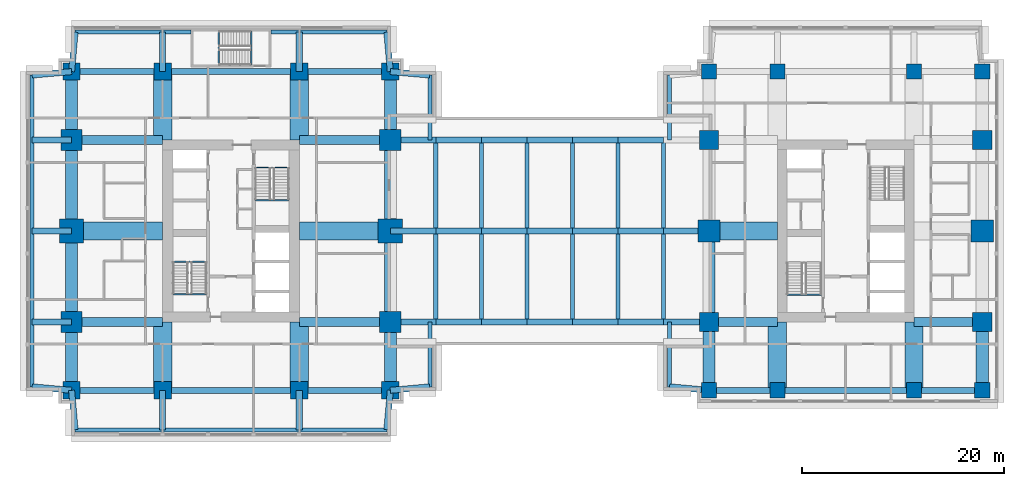
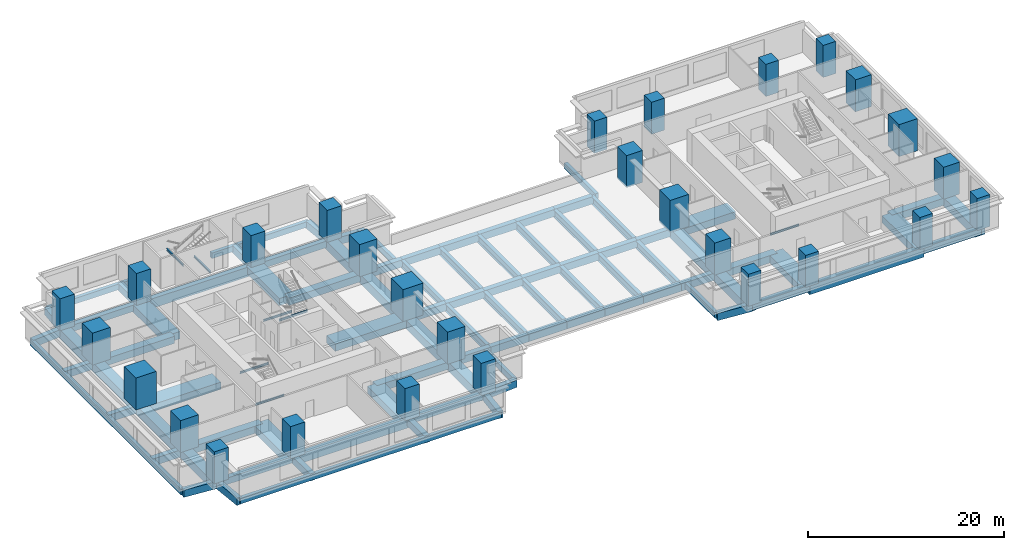
# One storey, part 1 of 10: 98 beams, 28 columns.
"""IFC4 building model written with IfcOpenShell, lengths in metres."""

from ifc_helpers import new_model, si_unit, direction, frame, origin, origin_2d, place, context, subcontext, project, spatial, rectangle, hollow_rectangle, i_section, extrude, material, material_profile, profile_set, type_object, element, save


model = new_model("IFC4")

# Units and contexts
model_context = context("Model", 3, precision=1e-05, world=origin(), true_north=direction((0.0, 1.0)))
body_context = subcontext(model_context, "Body", "Model", "MODEL_VIEW")
ifc_project = project(units=[si_unit("LENGTHUNIT", "METRE"), si_unit("AREAUNIT", "SQUARE_METRE"), si_unit("VOLUMEUNIT", "CUBIC_METRE"), si_unit("PLANEANGLEUNIT", "RADIAN"), si_unit("MASSUNIT", "GRAM", prefix="KILO")], contexts=[model_context])

# Site, building, storey
site_placement = place(None, origin())
site = spatial("IfcSite", under=ifc_project, at=site_placement, CompositionType="ELEMENT")
building_placement = place(site_placement, origin())
building = spatial("IfcBuilding", under=site, at=building_placement, Name="Namib Vertical Campus", CompositionType="ELEMENT")
storey_placement = place(building_placement, frame((0.0, 0.0, 137.0)))
storey = spatial("IfcBuildingStorey", under=building, at=storey_placement, Name="L32", CompositionType="ELEMENT", Elevation=137.0)

# Columns
ifc_material_1 = material(Name="Concrete C60/75", Category="concrete")
ifc_material_profile_1 = material_profile(ifc_material_1, rectangle(XDim=1.5, YDim=1.5, at=origin_2d()))
ifc_profile_set_1 = profile_set([ifc_material_profile_1], Name="Concrete C60/75")
column_type_1 = type_object("IfcColumnType", Name="Column RC 1500x1500", PredefinedType="COLUMN", material=ifc_profile_set_1)
for number, where, z_axis, x_axis, name in (
    (1, (67.5, 4.5, 0.0), (0.0, 0.0, 1.0), (1.0, 0.0, 0.0), "Column C150 L32"),
    (2, (74.25, 4.5, 0.0), (0.0, 0.0, 1.0), (1.0, 0.0, 0.0), "Column C150 L32"),
    (3, (87.75, 4.5, 0.0), (0.0, 0.0, 1.0), (1.0, 0.0, 0.0), "Column C150 L32"),
    (4, (94.5, 4.5, 0.0), (0.0, 0.0, 1.0), (1.0, 0.0, 0.0), "Column C150 L32"),
    (5, (67.5, 36.0, 0.0), (0.0, 0.0, 1.0), (1.0, 0.0, 0.0), "Column C150 L32"),
    (6, (74.25, 36.0, 0.0), (0.0, 0.0, 1.0), (1.0, 0.0, 0.0), "Column C150 L32"),
    (7, (87.75, 36.0, 0.0), (0.0, 0.0, 1.0), (1.0, 0.0, 0.0), "Column C150 L32"),
    (8, (94.5, 36.0, 0.0), (0.0, 0.0, 1.0), (1.0, 0.0, 0.0), "Column C150 L32"),
):
    element("IfcColumn", number, at=place(storey_placement, frame(where, z_axis=z_axis, x_axis=x_axis)), inside=storey, type_object=column_type_1, Name=name, PredefinedType="COLUMN", context=body_context, shape_type="SweptSolid", body=[
        extrude(rectangle(XDim=1.5, YDim=1.5, at=origin_2d()), origin(), (0.0, 0.0, 1.0), 4.0),
    ])
ifc_material_2 = material(Name="Concrete C60/75", Category="concrete")
ifc_material_profile_2 = material_profile(ifc_material_2, rectangle(XDim=1.699951171875, YDim=1.699951171875, at=origin_2d()))
ifc_profile_set_2 = profile_set([ifc_material_profile_2], Name="Concrete C60/75")
column_type_2 = type_object("IfcColumnType", Name="Column RC 1700x1700", PredefinedType="COLUMN", material=ifc_profile_set_2)
for number, where, z_axis, x_axis, name in (
    (9, (4.5, 4.5, 0.0), (0.0, 0.0, 1.0), (1.0, 0.0, 0.0), "Column C170 L32"),
    (10, (13.5, 4.5, 0.0), (0.0, 0.0, 1.0), (1.0, 0.0, 0.0), "Column C170 L32"),
    (11, (27.0, 4.5, 0.0), (0.0, 0.0, 1.0), (1.0, 0.0, 0.0), "Column C170 L32"),
    (12, (36.0, 4.5, 0.0), (0.0, 0.0, 1.0), (1.0, 0.0, 0.0), "Column C170 L32"),
    (13, (4.5, 36.0, 0.0), (0.0, 0.0, 1.0), (1.0, 0.0, 0.0), "Column C170 L32"),
    (14, (13.5, 36.0, 0.0), (0.0, 0.0, 1.0), (1.0, 0.0, 0.0), "Column C170 L32"),
    (15, (27.0, 36.0, 0.0), (0.0, 0.0, 1.0), (1.0, 0.0, 0.0), "Column C170 L32"),
    (16, (36.0, 36.0, 0.0), (0.0, 0.0, 1.0), (1.0, 0.0, 0.0), "Column C170 L32"),
):
    element("IfcColumn", number, at=place(storey_placement, frame(where, z_axis=z_axis, x_axis=x_axis)), inside=storey, type_object=column_type_2, Name=name, PredefinedType="COLUMN", context=body_context, shape_type="SweptSolid", body=[
        extrude(rectangle(XDim=1.699951171875, YDim=1.699951171875, at=origin_2d()), origin(), (0.0, 0.0, 1.0), 4.0),
    ])
ifc_material_3 = material(Name="Concrete C60/75", Category="concrete")
ifc_material_profile_3 = material_profile(ifc_material_3, rectangle(XDim=1.89990234375, YDim=1.89990234375, at=origin_2d()))
ifc_profile_set_3 = profile_set([ifc_material_profile_3], Name="Concrete C60/75")
column_type_3 = type_object("IfcColumnType", Name="Column RC 1900x1900", PredefinedType="COLUMN", material=ifc_profile_set_3)
for number, where, z_axis, x_axis, name in (
    (17, (67.5, 11.25, 0.0), (0.0, 0.0, 1.0), (1.0, 0.0, 0.0), "Column C190 L32"),
    (18, (94.5, 11.25, 0.0), (0.0, 0.0, 1.0), (1.0, 0.0, 0.0), "Column C190 L32"),
    (19, (67.5, 29.25, 0.0), (0.0, 0.0, 1.0), (1.0, 0.0, 0.0), "Column C190 L32"),
    (20, (94.5, 29.25, 0.0), (0.0, 0.0, 1.0), (1.0, 0.0, 0.0), "Column C190 L32"),
):
    element("IfcColumn", number, at=place(storey_placement, frame(where, z_axis=z_axis, x_axis=x_axis)), inside=storey, type_object=column_type_3, Name=name, PredefinedType="COLUMN", context=body_context, shape_type="SweptSolid", body=[
        extrude(rectangle(XDim=1.89990234375, YDim=1.89990234375, at=origin_2d()), origin(), (0.0, 0.0, 1.0), 4.0),
    ])
ifc_material_4 = material(Name="Concrete C60/75", Category="concrete")
ifc_material_profile_4 = material_profile(ifc_material_4, rectangle(XDim=2.10009765625, YDim=2.10009765625, at=origin_2d()))
ifc_profile_set_4 = profile_set([ifc_material_profile_4], Name="Concrete C60/75")
column_type_4 = type_object("IfcColumnType", Name="Column RC 2100x2100", PredefinedType="COLUMN", material=ifc_profile_set_4)
for number, where, z_axis, x_axis, name in (
    (21, (4.5, 11.25, 0.0), (0.0, 0.0, 1.0), (1.0, 0.0, 0.0), "Column C210 L32"),
    (22, (36.0, 11.25, 0.0), (0.0, 0.0, 1.0), (1.0, 0.0, 0.0), "Column C210 L32"),
    (23, (4.5, 29.25, 0.0), (0.0, 0.0, 1.0), (1.0, 0.0, 0.0), "Column C210 L32"),
    (24, (36.0, 29.25, 0.0), (0.0, 0.0, 1.0), (1.0, 0.0, 0.0), "Column C210 L32"),
):
    element("IfcColumn", number, at=place(storey_placement, frame(where, z_axis=z_axis, x_axis=x_axis)), inside=storey, type_object=column_type_4, Name=name, PredefinedType="COLUMN", context=body_context, shape_type="SweptSolid", body=[
        extrude(rectangle(XDim=2.10009765625, YDim=2.10009765625, at=origin_2d()), origin(), (0.0, 0.0, 1.0), 4.0),
    ])
ifc_material_5 = material(Name="Concrete C60/75", Category="concrete")
ifc_material_profile_5 = material_profile(ifc_material_5, rectangle(XDim=2.199951171875, YDim=2.199951171875, at=origin_2d()))
ifc_profile_set_5 = profile_set([ifc_material_profile_5], Name="Concrete C60/75")
column_type_5 = type_object("IfcColumnType", Name="Column RC 2200x2200", PredefinedType="COLUMN", material=ifc_profile_set_5)
for number, where, z_axis, x_axis, name in (
    (25, (67.5, 20.25, 0.0), (0.0, 0.0, 1.0), (1.0, 0.0, 0.0), "Column C220 L32"),
    (26, (94.5, 20.25, 0.0), (0.0, 0.0, 1.0), (1.0, 0.0, 0.0), "Column C220 L32"),
):
    element("IfcColumn", number, at=place(storey_placement, frame(where, z_axis=z_axis, x_axis=x_axis)), inside=storey, type_object=column_type_5, Name=name, PredefinedType="COLUMN", context=body_context, shape_type="SweptSolid", body=[
        extrude(rectangle(XDim=2.199951171875, YDim=2.199951171875, at=origin_2d()), origin(), (0.0, 0.0, 1.0), 4.0),
    ])
ifc_material_6 = material(Name="Concrete C60/75", Category="concrete")
ifc_material_profile_6 = material_profile(ifc_material_6, rectangle(XDim=2.39990234375, YDim=2.39990234375, at=origin_2d()))
ifc_profile_set_6 = profile_set([ifc_material_profile_6], Name="Concrete C60/75")
column_type_6 = type_object("IfcColumnType", Name="Column RC 2400x2400", PredefinedType="COLUMN", material=ifc_profile_set_6)
for number, where, z_axis, x_axis, name in (
    (27, (4.5, 20.25, 0.0), (0.0, 0.0, 1.0), (1.0, 0.0, 0.0), "Column C240 L32"),
    (28, (36.0, 20.25, 0.0), (0.0, 0.0, 1.0), (1.0, 0.0, 0.0), "Column C240 L32"),
):
    element("IfcColumn", number, at=place(storey_placement, frame(where, z_axis=z_axis, x_axis=x_axis)), inside=storey, type_object=column_type_6, Name=name, PredefinedType="COLUMN", context=body_context, shape_type="SweptSolid", body=[
        extrude(rectangle(XDim=2.39990234375, YDim=2.39990234375, at=origin_2d()), origin(), (0.0, 0.0, 1.0), 4.0),
    ])

# Beams
ifc_material_7 = material(Name="Steel S355JR", Category="steel")
ifc_material_profile_7 = material_profile(ifc_material_7, i_section(OverallWidth=0.42041015625, OverallDepth=0.92041015625, WebThickness=0.021484375, FlangeThickness=0.03662109375, FilletRadius=0.024169921875, at=origin_2d()))
ifc_profile_set_7 = profile_set([ifc_material_profile_7], Name="Steel S355JR")
beam_type_1 = type_object("IfcBeamType", Name="Bridge floor beam UB 914x419x388", PredefinedType="BEAM", material=ifc_profile_set_7)
for number, where, z_axis, x_axis, name in (
    (29, (40.5, 11.25, -0.710205078125), (0.0, 1.0, 0.0), (-1.0, 0.0, 0.0), "Bridge beam BB1 L32"),
    (30, (40.5, 20.25, -0.710205078125), (0.0, 1.0, 0.0), (-1.0, 0.0, 0.0), "Bridge beam BB1 L32"),
    (31, (45.0, 11.25, -0.710205078125), (0.0, 1.0, 0.0), (-1.0, 0.0, 0.0), "Bridge beam BB1 L32"),
    (32, (45.0, 20.25, -0.710205078125), (0.0, 1.0, 0.0), (-1.0, 0.0, 0.0), "Bridge beam BB1 L32"),
    (33, (49.5, 11.25, -0.710205078125), (0.0, 1.0, 0.0), (-1.0, 0.0, 0.0), "Bridge beam BB1 L32"),
    (34, (49.5, 20.25, -0.710205078125), (0.0, 1.0, 0.0), (-1.0, 0.0, 0.0), "Bridge beam BB1 L32"),
    (35, (54.0, 11.25, -0.710205078125), (0.0, 1.0, 0.0), (-1.0, 0.0, 0.0), "Bridge beam BB1 L32"),
    (36, (54.0, 20.25, -0.710205078125), (0.0, 1.0, 0.0), (-1.0, 0.0, 0.0), "Bridge beam BB1 L32"),
    (37, (58.5, 11.25, -0.710205078125), (0.0, 1.0, 0.0), (-1.0, 0.0, 0.0), "Bridge beam BB1 L32"),
    (38, (58.5, 20.25, -0.710205078125), (0.0, 1.0, 0.0), (-1.0, 0.0, 0.0), "Bridge beam BB1 L32"),
    (39, (63.0, 11.25, -0.710205078125), (0.0, 1.0, 0.0), (-1.0, 0.0, 0.0), "Bridge beam BB1 L32"),
    (40, (63.0, 20.25, -0.710205078125), (0.0, 1.0, 0.0), (-1.0, 0.0, 0.0), "Bridge beam BB1 L32"),
):
    element("IfcBeam", number, at=place(storey_placement, frame(where, z_axis=z_axis, x_axis=x_axis)), inside=storey, type_object=beam_type_1, Name=name, PredefinedType="BEAM", context=body_context, shape_type="SweptSolid", body=[
        extrude(i_section(OverallWidth=0.42041015625, OverallDepth=0.92041015625, WebThickness=0.021484375, FlangeThickness=0.03662109375, FilletRadius=0.024169921875, at=origin_2d()), origin(), (0.0, 0.0, 1.0), 9.0),
    ])
ifc_material_8 = material(Name="Steel S355JR", Category="steel")
ifc_material_profile_8 = material_profile(ifc_material_8, hollow_rectangle(XDim=0.60009765625, YDim=0.89990234375, WallThickness=0.050048828125, at=origin_2d()))
ifc_profile_set_8 = profile_set([ifc_material_profile_8], Name="Steel S355JR")
beam_type_2 = type_object("IfcBeamType", Name="Bridge girder WB 900x600x50", PredefinedType="BEAM", material=ifc_profile_set_8)
for number, where, z_axis, x_axis, name in (
    (41, (36.0, 11.25, -0.699951171875), (1.0, 0.0, 0.0), (0.0, 1.0, 0.0), "Bridge girder BG1 L32"),
    (42, (40.5, 11.25, -0.699951171875), (1.0, 0.0, 0.0), (0.0, 1.0, 0.0), "Bridge girder BG1 L32"),
    (43, (45.0, 11.25, -0.699951171875), (1.0, 0.0, 0.0), (0.0, 1.0, 0.0), "Bridge girder BG1 L32"),
    (44, (49.5, 11.25, -0.699951171875), (1.0, 0.0, 0.0), (0.0, 1.0, 0.0), "Bridge girder BG1 L32"),
    (45, (54.0, 11.25, -0.699951171875), (1.0, 0.0, 0.0), (0.0, 1.0, 0.0), "Bridge girder BG1 L32"),
    (46, (58.5, 11.25, -0.699951171875), (1.0, 0.0, 0.0), (0.0, 1.0, 0.0), "Bridge girder BG1 L32"),
    (47, (63.0, 11.25, -0.699951171875), (1.0, 0.0, 0.0), (0.0, 1.0, 0.0), "Bridge girder BG1 L32"),
    (48, (36.0, 20.25, -0.699951171875), (1.0, 0.0, 0.0), (0.0, 1.0, 0.0), "Bridge girder BG1 L32"),
    (49, (40.5, 20.25, -0.699951171875), (1.0, 0.0, 0.0), (0.0, 1.0, 0.0), "Bridge girder BG1 L32"),
    (50, (45.0, 20.25, -0.699951171875), (1.0, 0.0, 0.0), (0.0, 1.0, 0.0), "Bridge girder BG1 L32"),
    (51, (49.5, 20.25, -0.699951171875), (1.0, 0.0, 0.0), (0.0, 1.0, 0.0), "Bridge girder BG1 L32"),
    (52, (54.0, 20.25, -0.699951171875), (1.0, 0.0, 0.0), (0.0, 1.0, 0.0), "Bridge girder BG1 L32"),
    (53, (58.5, 20.25, -0.699951171875), (1.0, 0.0, 0.0), (0.0, 1.0, 0.0), "Bridge girder BG1 L32"),
    (54, (63.0, 20.25, -0.699951171875), (1.0, 0.0, 0.0), (0.0, 1.0, 0.0), "Bridge girder BG1 L32"),
    (55, (36.0, 29.25, -0.699951171875), (1.0, 0.0, 0.0), (0.0, 1.0, 0.0), "Bridge girder BG1 L32"),
    (56, (40.5, 29.25, -0.699951171875), (1.0, 0.0, 0.0), (0.0, 1.0, 0.0), "Bridge girder BG1 L32"),
    (57, (45.0, 29.25, -0.699951171875), (1.0, 0.0, 0.0), (0.0, 1.0, 0.0), "Bridge girder BG1 L32"),
    (58, (49.5, 29.25, -0.699951171875), (1.0, 0.0, 0.0), (0.0, 1.0, 0.0), "Bridge girder BG1 L32"),
    (59, (54.0, 29.25, -0.699951171875), (1.0, 0.0, 0.0), (0.0, 1.0, 0.0), "Bridge girder BG1 L32"),
    (60, (58.5, 29.25, -0.699951171875), (1.0, 0.0, 0.0), (0.0, 1.0, 0.0), "Bridge girder BG1 L32"),
):
    element("IfcBeam", number, at=place(storey_placement, frame(where, z_axis=z_axis, x_axis=x_axis)), inside=storey, type_object=beam_type_2, Name=name, PredefinedType="BEAM", context=body_context, shape_type="SweptSolid", body=[
        extrude(hollow_rectangle(XDim=0.60009765625, YDim=0.89990234375, WallThickness=0.050048828125, at=origin_2d()), origin(), (0.0, 0.0, 1.0), 4.5),
    ])
ifc_material_9 = material(Name="Concrete C40/50", Category="concrete")
ifc_material_profile_9 = material_profile(ifc_material_9, rectangle(XDim=0.60009765625, YDim=0.89990234375, at=origin_2d()))
ifc_profile_set_9 = profile_set([ifc_material_profile_9], Name="Concrete C40/50")
beam_type_3 = type_object("IfcBeamType", Name="Cantilever girder RC 600x900", PredefinedType="BEAM", material=ifc_profile_set_9)
beam_1_placement = place(storey_placement, frame((4.5, 4.5, -0.699951171875), z_axis=(0.089411326146, -0.995994786511, 0.0), x_axis=(0.995994786511, 0.089411326146, 0.0)))
element("IfcBeam", 61, at=beam_1_placement, inside=storey, type_object=beam_type_3, Name="Beam B3 L32", PredefinedType="BEAM", context=body_context, shape_type="SweptSolid", body=[
    extrude(rectangle(XDim=0.60009765625, YDim=0.89990234375, at=origin_2d()), origin(), (0.0, 0.0, 1.0), 3.91552734375),
])
for number, where, z_axis, x_axis, name in (
    (62, (13.5, 4.5, -0.699951171875), (0.0, -1.0, 0.0), (1.0, 0.0, 0.0), "Beam B3 L32"),
    (63, (27.0, 4.5, -0.699951171875), (0.0, -1.0, 0.0), (1.0, 0.0, 0.0), "Beam B3 L32"),
):
    element("IfcBeam", number, at=place(storey_placement, frame(where, z_axis=z_axis, x_axis=x_axis)), inside=storey, type_object=beam_type_3, Name=name, PredefinedType="BEAM", context=body_context, shape_type="SweptSolid", body=[
        extrude(rectangle(XDim=0.60009765625, YDim=0.89990234375, at=origin_2d()), origin(), (0.0, 0.0, 1.0), 3.89990234375),
    ])
for number, where, z_axis, x_axis, name in (
    (64, (36.0, 4.5, -0.699951171875), (-0.089411326146, -0.995994786511, 0.0), (0.995994786511, -0.089411326146, 0.0), "Beam B3 L32"),
    (65, (4.5, 36.0, -0.699951171875), (0.089411326146, 0.995994786511, 0.0), (-0.995994786511, 0.089411326146, 0.0), "Beam B3 L32"),
):
    element("IfcBeam", number, at=place(storey_placement, frame(where, z_axis=z_axis, x_axis=x_axis)), inside=storey, type_object=beam_type_3, Name=name, PredefinedType="BEAM", context=body_context, shape_type="SweptSolid", body=[
        extrude(rectangle(XDim=0.60009765625, YDim=0.89990234375, at=origin_2d()), origin(), (0.0, 0.0, 1.0), 3.91552734375),
    ])
for number, where, z_axis, x_axis, name in (
    (66, (13.5, 36.0, -0.699951171875), (0.0, 1.0, 0.0), (-1.0, 0.0, 0.0), "Beam B3 L32"),
    (67, (27.0, 36.0, -0.699951171875), (0.0, 1.0, 0.0), (-1.0, 0.0, 0.0), "Beam B3 L32"),
):
    element("IfcBeam", number, at=place(storey_placement, frame(where, z_axis=z_axis, x_axis=x_axis)), inside=storey, type_object=beam_type_3, Name=name, PredefinedType="BEAM", context=body_context, shape_type="SweptSolid", body=[
        extrude(rectangle(XDim=0.60009765625, YDim=0.89990234375, at=origin_2d()), origin(), (0.0, 0.0, 1.0), 3.89990234375),
    ])
for number, where, z_axis, x_axis, name in (
    (68, (36.0, 36.0, -0.699951171875), (-0.089411326146, 0.995994786511, 0.0), (-0.995994786511, -0.089411326146, 0.0), "Beam B3 L32"),
    (69, (4.5, 4.5, -0.699951171875), (-0.995994786511, 0.089411326146, 0.0), (-0.089411326146, -0.995994786511, 0.0), "Beam B3 L32"),
):
    element("IfcBeam", number, at=place(storey_placement, frame(where, z_axis=z_axis, x_axis=x_axis)), inside=storey, type_object=beam_type_3, Name=name, PredefinedType="BEAM", context=body_context, shape_type="SweptSolid", body=[
        extrude(rectangle(XDim=0.60009765625, YDim=0.89990234375, at=origin_2d()), origin(), (0.0, 0.0, 1.0), 3.91552734375),
    ])
for number, where, z_axis, x_axis, name in (
    (70, (4.5, 11.25, -0.699951171875), (-1.0, 0.0, 0.0), (0.0, -1.0, 0.0), "Beam B3 L32"),
    (71, (4.5, 20.25, -0.699951171875), (-1.0, 0.0, 0.0), (0.0, -1.0, 0.0), "Beam B3 L32"),
    (72, (4.5, 29.25, -0.699951171875), (-1.0, 0.0, 0.0), (0.0, -1.0, 0.0), "Beam B3 L32"),
):
    element("IfcBeam", number, at=place(storey_placement, frame(where, z_axis=z_axis, x_axis=x_axis)), inside=storey, type_object=beam_type_3, Name=name, PredefinedType="BEAM", context=body_context, shape_type="SweptSolid", body=[
        extrude(rectangle(XDim=0.60009765625, YDim=0.89990234375, at=origin_2d()), origin(), (0.0, 0.0, 1.0), 3.89990234375),
    ])
for number, where, z_axis, x_axis, name in (
    (73, (4.5, 36.0, -0.699951171875), (-0.995994786511, -0.089411326146, 0.0), (0.089411326146, -0.995994786511, 0.0), "Beam B3 L32"),
    (74, (36.0, 4.5, -0.699951171875), (0.995994786511, 0.089411326146, 0.0), (-0.089411326146, 0.995994786511, 0.0), "Beam B3 L32"),
    (75, (36.0, 36.0, -0.699951171875), (0.995994786511, -0.089411326146, 0.0), (0.089411326146, 0.995994786511, 0.0), "Beam B3 L32"),
    (76, (67.5, 4.5, -0.699951171875), (-0.995994786511, 0.089411326146, 0.0), (-0.089411326146, -0.995994786511, 0.0), "Beam B3 L32"),
):
    element("IfcBeam", number, at=place(storey_placement, frame(where, z_axis=z_axis, x_axis=x_axis)), inside=storey, type_object=beam_type_3, Name=name, PredefinedType="BEAM", context=body_context, shape_type="SweptSolid", body=[
        extrude(rectangle(XDim=0.60009765625, YDim=0.89990234375, at=origin_2d()), origin(), (0.0, 0.0, 1.0), 3.91552734375),
    ])
ifc_material_10 = material(Name="Concrete C40/50", Category="concrete")
ifc_material_profile_10 = material_profile(ifc_material_10, rectangle(XDim=0.39990234375, YDim=0.699951171875, at=origin_2d()))
ifc_profile_set_10 = profile_set([ifc_material_profile_10], Name="Concrete C40/50")
beam_type_4 = type_object("IfcBeamType", Name="Edge beam RC 400x700", PredefinedType="SPANDREL", material=ifc_profile_set_10)
beam_2_placement = place(storey_placement, frame((4.85009765625, 0.60009765625, -0.60009765625), z_axis=(1.0, 0.0, 0.0), x_axis=(0.0, 1.0, 0.0)))
element("IfcBeam", 77, at=beam_2_placement, inside=storey, type_object=beam_type_4, Name="Beam B4 L32", PredefinedType="SPANDREL", context=body_context, shape_type="SweptSolid", body=[
    extrude(rectangle(XDim=0.39990234375, YDim=0.699951171875, at=origin_2d()), origin(), (0.0, 0.0, 1.0), 30.7998046875),
])
for number, where, z_axis, x_axis, name in (
    (78, (4.85009765625, 39.89990234375, -0.60009765625), (1.0, 0.0, 0.0), (0.0, 1.0, 0.0), "Beam B4 L32"),
    (79, (24.199951171875, 39.89990234375, -0.60009765625), (1.0, 0.0, 0.0), (0.0, 1.0, 0.0), "Beam B4 L32"),
):
    element("IfcBeam", number, at=place(storey_placement, frame(where, z_axis=z_axis, x_axis=x_axis)), inside=storey, type_object=beam_type_4, Name=name, PredefinedType="SPANDREL", context=body_context, shape_type="SweptSolid", body=[
        extrude(rectangle(XDim=0.39990234375, YDim=0.699951171875, at=origin_2d()), origin(), (0.0, 0.0, 1.0), 11.449951171875),
    ])
beam_3_placement = place(storey_placement, frame((0.60009765625, 4.85009765625, -0.60009765625), z_axis=(0.0, 1.0, 0.0), x_axis=(-1.0, 0.0, 0.0)))
element("IfcBeam", 80, at=beam_3_placement, inside=storey, type_object=beam_type_4, Name="Beam B4 L32", PredefinedType="SPANDREL", context=body_context, shape_type="SweptSolid", body=[
    extrude(rectangle(XDim=0.39990234375, YDim=0.699951171875, at=origin_2d()), origin(), (0.0, 0.0, 1.0), 30.7998046875),
])
for number, where, z_axis, x_axis, name in (
    (81, (39.89990234375, 4.85009765625, -0.60009765625), (0.0, 1.0, 0.0), (-1.0, 0.0, 0.0), "Beam B4 L32"),
    (82, (39.89990234375, 29.25, -0.60009765625), (0.0, 1.0, 0.0), (-1.0, 0.0, 0.0), "Beam B4 L32"),
    (83, (63.60009765625, 4.85009765625, -0.60009765625), (0.0, 1.0, 0.0), (-1.0, 0.0, 0.0), "Beam B4 L32"),
    (84, (63.60009765625, 29.25, -0.60009765625), (0.0, 1.0, 0.0), (-1.0, 0.0, 0.0), "Beam B4 L32"),
):
    element("IfcBeam", number, at=place(storey_placement, frame(where, z_axis=z_axis, x_axis=x_axis)), inside=storey, type_object=beam_type_4, Name=name, PredefinedType="SPANDREL", context=body_context, shape_type="SweptSolid", body=[
        extrude(rectangle(XDim=0.39990234375, YDim=0.699951171875, at=origin_2d()), origin(), (0.0, 0.0, 1.0), 6.39990234375),
    ])
ifc_material_11 = material(Name="Concrete C40/50", Category="concrete")
ifc_material_profile_11 = material_profile(ifc_material_11, rectangle(XDim=0.89990234375, YDim=0.89990234375, at=origin_2d()))
ifc_profile_set_11 = profile_set([ifc_material_profile_11], Name="Concrete C40/50")
beam_type_5 = type_object("IfcBeamType", Name="Face girder RC 900x900", PredefinedType="BEAM", material=ifc_profile_set_11)
for number, where, z_axis, x_axis, name in (
    (85, (4.5, 11.25, -0.699951171875), (1.0, 0.0, 0.0), (0.0, 1.0, 0.0), "Beam B10 L32"),
    (86, (36.0, 11.25, -0.699951171875), (-1.0, 0.0, 0.0), (0.0, -1.0, 0.0), "Beam B10 L32"),
    (87, (4.5, 29.25, -0.699951171875), (1.0, 0.0, 0.0), (0.0, 1.0, 0.0), "Beam B10 L32"),
    (88, (36.0, 29.25, -0.699951171875), (-1.0, 0.0, 0.0), (0.0, -1.0, 0.0), "Beam B10 L32"),
):
    element("IfcBeam", number, at=place(storey_placement, frame(where, z_axis=z_axis, x_axis=x_axis)), inside=storey, type_object=beam_type_5, Name=name, PredefinedType="BEAM", context=body_context, shape_type="SweptSolid", body=[
        extrude(rectangle(XDim=0.89990234375, YDim=0.89990234375, at=origin_2d()), origin(), (0.0, 0.0, 1.0), 9.0),
    ])
for number, where, z_axis, x_axis, name in (
    (89, (67.5, 11.25, -0.699951171875), (1.0, 0.0, 0.0), (0.0, 1.0, 0.0), "Beam B10 L32"),
    (90, (94.5, 11.25, -0.699951171875), (-1.0, 0.0, 0.0), (0.0, -1.0, 0.0), "Beam B10 L32"),
):
    element("IfcBeam", number, at=place(storey_placement, frame(where, z_axis=z_axis, x_axis=x_axis)), inside=storey, type_object=beam_type_5, Name=name, PredefinedType="BEAM", context=body_context, shape_type="SweptSolid", body=[
        extrude(rectangle(XDim=0.89990234375, YDim=0.89990234375, at=origin_2d()), origin(), (0.0, 0.0, 1.0), 6.75),
    ])
ifc_material_12 = material(Name="Concrete C40/50", Category="concrete")
ifc_material_profile_12 = material_profile(ifc_material_12, rectangle(XDim=1.199951171875, YDim=1.10009765625, at=origin_2d()))
ifc_profile_set_12 = profile_set([ifc_material_profile_12], Name="Concrete C40/50")
beam_type_6 = type_object("IfcBeamType", Name="Face ring beam RC 1200x1100", PredefinedType="BEAM", material=ifc_profile_set_12)
beam_4_placement = place(storey_placement, frame((4.5, 4.5, -0.800048828125), z_axis=(0.0, 1.0, 0.0), x_axis=(-1.0, 0.0, 0.0)))
element("IfcBeam", 91, at=beam_4_placement, inside=storey, type_object=beam_type_6, Name="Beam B11 L32", PredefinedType="BEAM", context=body_context, shape_type="SweptSolid", body=[
    extrude(rectangle(XDim=1.199951171875, YDim=1.10009765625, at=origin_2d()), origin(), (0.0, 0.0, 1.0), 6.75),
])
for number, where, z_axis, x_axis, name in (
    (92, (4.5, 11.25, -0.800048828125), (0.0, 1.0, 0.0), (-1.0, 0.0, 0.0), "Beam B11 L32"),
    (93, (4.5, 20.25, -0.800048828125), (0.0, 1.0, 0.0), (-1.0, 0.0, 0.0), "Beam B11 L32"),
):
    element("IfcBeam", number, at=place(storey_placement, frame(where, z_axis=z_axis, x_axis=x_axis)), inside=storey, type_object=beam_type_6, Name=name, PredefinedType="BEAM", context=body_context, shape_type="SweptSolid", body=[
        extrude(rectangle(XDim=1.199951171875, YDim=1.10009765625, at=origin_2d()), origin(), (0.0, 0.0, 1.0), 9.0),
    ])
for number, where, z_axis, x_axis, name in (
    (94, (4.5, 29.25, -0.800048828125), (0.0, 1.0, 0.0), (-1.0, 0.0, 0.0), "Beam B11 L32"),
    (95, (36.0, 4.5, -0.800048828125), (0.0, 1.0, 0.0), (-1.0, 0.0, 0.0), "Beam B11 L32"),
):
    element("IfcBeam", number, at=place(storey_placement, frame(where, z_axis=z_axis, x_axis=x_axis)), inside=storey, type_object=beam_type_6, Name=name, PredefinedType="BEAM", context=body_context, shape_type="SweptSolid", body=[
        extrude(rectangle(XDim=1.199951171875, YDim=1.10009765625, at=origin_2d()), origin(), (0.0, 0.0, 1.0), 6.75),
    ])
for number, where, z_axis, x_axis, name in (
    (96, (36.0, 11.25, -0.800048828125), (0.0, 1.0, 0.0), (-1.0, 0.0, 0.0), "Beam B11 L32"),
    (97, (36.0, 20.25, -0.800048828125), (0.0, 1.0, 0.0), (-1.0, 0.0, 0.0), "Beam B11 L32"),
):
    element("IfcBeam", number, at=place(storey_placement, frame(where, z_axis=z_axis, x_axis=x_axis)), inside=storey, type_object=beam_type_6, Name=name, PredefinedType="BEAM", context=body_context, shape_type="SweptSolid", body=[
        extrude(rectangle(XDim=1.199951171875, YDim=1.10009765625, at=origin_2d()), origin(), (0.0, 0.0, 1.0), 9.0),
    ])
for number, where, z_axis, x_axis, name in (
    (98, (36.0, 29.25, -0.800048828125), (0.0, 1.0, 0.0), (-1.0, 0.0, 0.0), "Beam B11 L32"),
    (99, (67.5, 4.5, -0.800048828125), (0.0, 1.0, 0.0), (-1.0, 0.0, 0.0), "Beam B11 L32"),
):
    element("IfcBeam", number, at=place(storey_placement, frame(where, z_axis=z_axis, x_axis=x_axis)), inside=storey, type_object=beam_type_6, Name=name, PredefinedType="BEAM", context=body_context, shape_type="SweptSolid", body=[
        extrude(rectangle(XDim=1.199951171875, YDim=1.10009765625, at=origin_2d()), origin(), (0.0, 0.0, 1.0), 6.75),
    ])
beam_5_placement = place(storey_placement, frame((67.5, 11.25, -0.800048828125), z_axis=(0.0, 1.0, 0.0), x_axis=(-1.0, 0.0, 0.0)))
element("IfcBeam", 100, at=beam_5_placement, inside=storey, type_object=beam_type_6, Name="Beam B11 L32", PredefinedType="BEAM", context=body_context, shape_type="SweptSolid", body=[
    extrude(rectangle(XDim=1.199951171875, YDim=1.10009765625, at=origin_2d()), origin(), (0.0, 0.0, 1.0), 9.0),
])
beam_6_placement = place(storey_placement, frame((94.5, 4.5, -0.800048828125), z_axis=(0.0, 1.0, 0.0), x_axis=(-1.0, 0.0, 0.0)))
element("IfcBeam", 101, at=beam_6_placement, inside=storey, type_object=beam_type_6, Name="Beam B11 L32", PredefinedType="BEAM", context=body_context, shape_type="SweptSolid", body=[
    extrude(rectangle(XDim=1.199951171875, YDim=1.10009765625, at=origin_2d()), origin(), (0.0, 0.0, 1.0), 6.75),
])
ifc_material_13 = material(Name="Steel S355JR", Category="steel")
ifc_material_profile_13 = material_profile(ifc_material_13, i_section(OverallWidth=0.14599609375, OverallDepth=0.25146484375, WebThickness=0.006103515625, FlangeThickness=0.008544921875, FilletRadius=0.007568359375, at=origin_2d()))
ifc_profile_set_13 = profile_set([ifc_material_profile_13], Name="Steel S355JR")
beam_type_7 = type_object("IfcBeamType", Name="Landing trimmer UB 254x146x31", PredefinedType="BEAM", material=ifc_profile_set_13)
for number, where, z_axis, x_axis, name in (
    (102, (14.5, 13.97705078125, -0.125732421875), (1.0, 0.0, 0.0), (0.0, 1.0, 0.0), "Landing trimmer LT1 A-S1 L32 1"),
    (103, (14.5, 17.203125, 1.874267578125), (1.0, 0.0, 0.0), (0.0, 1.0, 0.0), "Landing trimmer LT1 A-S1 L32 2"),
    (104, (22.64990234375, 26.52294921875, -0.125732421875), (1.0, 0.0, 0.0), (0.0, 1.0, 0.0), "Landing trimmer LT1 A-S2 L32 1"),
    (105, (22.64990234375, 23.296875, 1.874267578125), (1.0, 0.0, 0.0), (0.0, 1.0, 0.0), "Landing trimmer LT1 A-S2 L32 2"),
):
    element("IfcBeam", number, at=place(storey_placement, frame(where, z_axis=z_axis, x_axis=x_axis)), inside=storey, type_object=beam_type_7, Name=name, PredefinedType="BEAM", context=body_context, shape_type="SweptSolid", body=[
        extrude(i_section(OverallWidth=0.14599609375, OverallDepth=0.25146484375, WebThickness=0.006103515625, FlangeThickness=0.008544921875, FilletRadius=0.007568359375, at=origin_2d()), origin(), (0.0, 0.0, 1.0), 3.35009765625),
    ])
beam_7_placement = place(storey_placement, frame((75.199951171875, 13.927001953125, -0.125732421875), z_axis=(1.0, 0.0, 0.0), x_axis=(0.0, 1.0, 0.0)))
element("IfcBeam", 106, at=beam_7_placement, inside=storey, type_object=beam_type_7, Name="Landing trimmer LT1 B-S1 L32 1", PredefinedType="BEAM", context=body_context, shape_type="SweptSolid", body=[
    extrude(i_section(OverallWidth=0.14599609375, OverallDepth=0.25146484375, WebThickness=0.006103515625, FlangeThickness=0.008544921875, FilletRadius=0.007568359375, at=origin_2d()), origin(), (0.0, 0.0, 1.0), 3.400146484375),
])
for number, where, z_axis, x_axis, name in (
    (107, (22.27294921875, 36.64990234375, -0.125732421875), (0.0, 1.0, 0.0), (-1.0, 0.0, 0.0), "Landing trimmer LT1 A-S3 L32 1"),
    (108, (19.046875, 36.64990234375, 1.874267578125), (0.0, 1.0, 0.0), (-1.0, 0.0, 0.0), "Landing trimmer LT1 A-S3 L32 2"),
):
    element("IfcBeam", number, at=place(storey_placement, frame(where, z_axis=z_axis, x_axis=x_axis)), inside=storey, type_object=beam_type_7, Name=name, PredefinedType="BEAM", context=body_context, shape_type="SweptSolid", body=[
        extrude(i_section(OverallWidth=0.14599609375, OverallDepth=0.25146484375, WebThickness=0.006103515625, FlangeThickness=0.008544921875, FilletRadius=0.007568359375, at=origin_2d()), origin(), (0.0, 0.0, 1.0), 3.35009765625),
    ])
ifc_material_14 = material(Name="Concrete C40/50", Category="concrete")
ifc_material_profile_14 = material_profile(ifc_material_14, rectangle(XDim=0.60009765625, YDim=1.199951171875, at=origin_2d()))
ifc_profile_set_14 = profile_set([ifc_material_profile_14], Name="Concrete C40/50")
beam_type_8 = type_object("IfcBeamType", Name="Long-span ring beam RC 600x1200", PredefinedType="BEAM", material=ifc_profile_set_14)
for number, where, z_axis, x_axis, name in (
    (109, (13.5, 4.5, -0.85009765625), (1.0, 0.0, 0.0), (0.0, 1.0, 0.0), "Beam B9 L32"),
    (110, (13.5, 36.0, -0.85009765625), (1.0, 0.0, 0.0), (0.0, 1.0, 0.0), "Beam B9 L32"),
    (111, (74.25, 4.5, -0.85009765625), (1.0, 0.0, 0.0), (0.0, 1.0, 0.0), "Beam B9 L32"),
):
    element("IfcBeam", number, at=place(storey_placement, frame(where, z_axis=z_axis, x_axis=x_axis)), inside=storey, type_object=beam_type_8, Name=name, PredefinedType="BEAM", context=body_context, shape_type="SweptSolid", body=[
        extrude(rectangle(XDim=0.60009765625, YDim=1.199951171875, at=origin_2d()), origin(), (0.0, 0.0, 1.0), 13.5),
    ])
ifc_material_15 = material(Name="Concrete C40/50", Category="concrete")
ifc_material_profile_15 = material_profile(ifc_material_15, rectangle(XDim=1.800048828125, YDim=0.89990234375, at=origin_2d()))
ifc_profile_set_15 = profile_set([ifc_material_profile_15], Name="Concrete C40/50")
beam_type_9 = type_object("IfcBeamType", Name="Outrigger line girder RC 1800x900", PredefinedType="BEAM", material=ifc_profile_set_15)
for number, where, z_axis, x_axis, name in (
    (112, (13.5, 4.5, -0.699951171875), (0.0, 1.0, 0.0), (-1.0, 0.0, 0.0), "Beam B12 L32"),
    (113, (13.5, 36.0, -0.699951171875), (0.0, -1.0, 0.0), (1.0, 0.0, 0.0), "Beam B12 L32"),
    (114, (27.0, 4.5, -0.699951171875), (0.0, 1.0, 0.0), (-1.0, 0.0, 0.0), "Beam B12 L32"),
    (115, (27.0, 36.0, -0.699951171875), (0.0, -1.0, 0.0), (1.0, 0.0, 0.0), "Beam B12 L32"),
):
    element("IfcBeam", number, at=place(storey_placement, frame(where, z_axis=z_axis, x_axis=x_axis)), inside=storey, type_object=beam_type_9, Name=name, PredefinedType="BEAM", context=body_context, shape_type="SweptSolid", body=[
        extrude(rectangle(XDim=1.800048828125, YDim=0.89990234375, at=origin_2d()), origin(), (0.0, 0.0, 1.0), 6.75),
    ])
for number, where, z_axis, x_axis, name in (
    (116, (4.5, 20.25, -0.699951171875), (1.0, 0.0, 0.0), (0.0, 1.0, 0.0), "Beam B12 L32"),
    (117, (36.0, 20.25, -0.699951171875), (-1.0, 0.0, 0.0), (0.0, -1.0, 0.0), "Beam B12 L32"),
):
    element("IfcBeam", number, at=place(storey_placement, frame(where, z_axis=z_axis, x_axis=x_axis)), inside=storey, type_object=beam_type_9, Name=name, PredefinedType="BEAM", context=body_context, shape_type="SweptSolid", body=[
        extrude(rectangle(XDim=1.800048828125, YDim=0.89990234375, at=origin_2d()), origin(), (0.0, 0.0, 1.0), 9.0),
    ])
for number, where, z_axis, x_axis, name in (
    (118, (74.25, 4.5, -0.699951171875), (0.0, 1.0, 0.0), (-1.0, 0.0, 0.0), "Beam B12 L32"),
    (119, (87.75, 4.5, -0.699951171875), (0.0, 1.0, 0.0), (-1.0, 0.0, 0.0), "Beam B12 L32"),
    (120, (67.5, 20.25, -0.699951171875), (1.0, 0.0, 0.0), (0.0, 1.0, 0.0), "Beam B12 L32"),
):
    element("IfcBeam", number, at=place(storey_placement, frame(where, z_axis=z_axis, x_axis=x_axis)), inside=storey, type_object=beam_type_9, Name=name, PredefinedType="BEAM", context=body_context, shape_type="SweptSolid", body=[
        extrude(rectangle(XDim=1.800048828125, YDim=0.89990234375, at=origin_2d()), origin(), (0.0, 0.0, 1.0), 6.75),
    ])
ifc_material_16 = material(Name="Concrete C40/50", Category="concrete")
ifc_material_profile_16 = material_profile(ifc_material_16, rectangle(XDim=0.60009765625, YDim=0.800048828125, at=origin_2d()))
ifc_profile_set_16 = profile_set([ifc_material_profile_16], Name="Concrete C40/50")
beam_type_10 = type_object("IfcBeamType", Name="Ring beam RC 600x800", PredefinedType="BEAM", material=ifc_profile_set_16)
for number, where, z_axis, x_axis, name in (
    (121, (4.5, 4.5, -0.64990234375), (1.0, 0.0, 0.0), (0.0, 1.0, 0.0), "Beam B1 L32"),
    (122, (27.0, 4.5, -0.64990234375), (1.0, 0.0, 0.0), (0.0, 1.0, 0.0), "Beam B1 L32"),
    (123, (4.5, 36.0, -0.64990234375), (1.0, 0.0, 0.0), (0.0, 1.0, 0.0), "Beam B1 L32"),
    (124, (27.0, 36.0, -0.64990234375), (1.0, 0.0, 0.0), (0.0, 1.0, 0.0), "Beam B1 L32"),
):
    element("IfcBeam", number, at=place(storey_placement, frame(where, z_axis=z_axis, x_axis=x_axis)), inside=storey, type_object=beam_type_10, Name=name, PredefinedType="BEAM", context=body_context, shape_type="SweptSolid", body=[
        extrude(rectangle(XDim=0.60009765625, YDim=0.800048828125, at=origin_2d()), origin(), (0.0, 0.0, 1.0), 9.0),
    ])
for number, where, z_axis, x_axis, name in (
    (125, (67.5, 4.5, -0.64990234375), (1.0, 0.0, 0.0), (0.0, 1.0, 0.0), "Beam B1 L32"),
    (126, (87.75, 4.5, -0.64990234375), (1.0, 0.0, 0.0), (0.0, 1.0, 0.0), "Beam B1 L32"),
):
    element("IfcBeam", number, at=place(storey_placement, frame(where, z_axis=z_axis, x_axis=x_axis)), inside=storey, type_object=beam_type_10, Name=name, PredefinedType="BEAM", context=body_context, shape_type="SweptSolid", body=[
        extrude(rectangle(XDim=0.60009765625, YDim=0.800048828125, at=origin_2d()), origin(), (0.0, 0.0, 1.0), 6.75),
    ])

save(model, "model.ifc")
